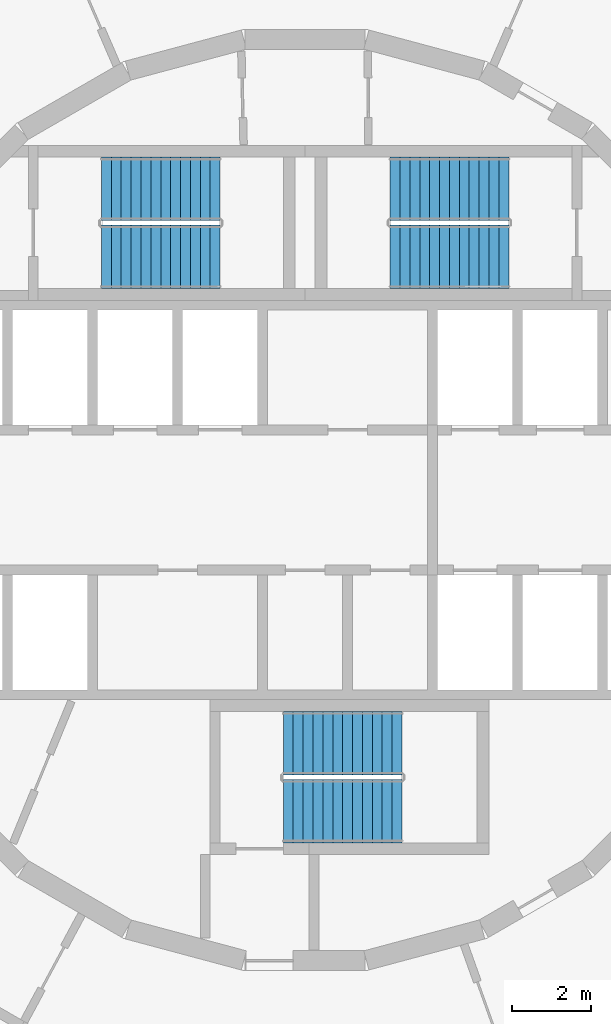
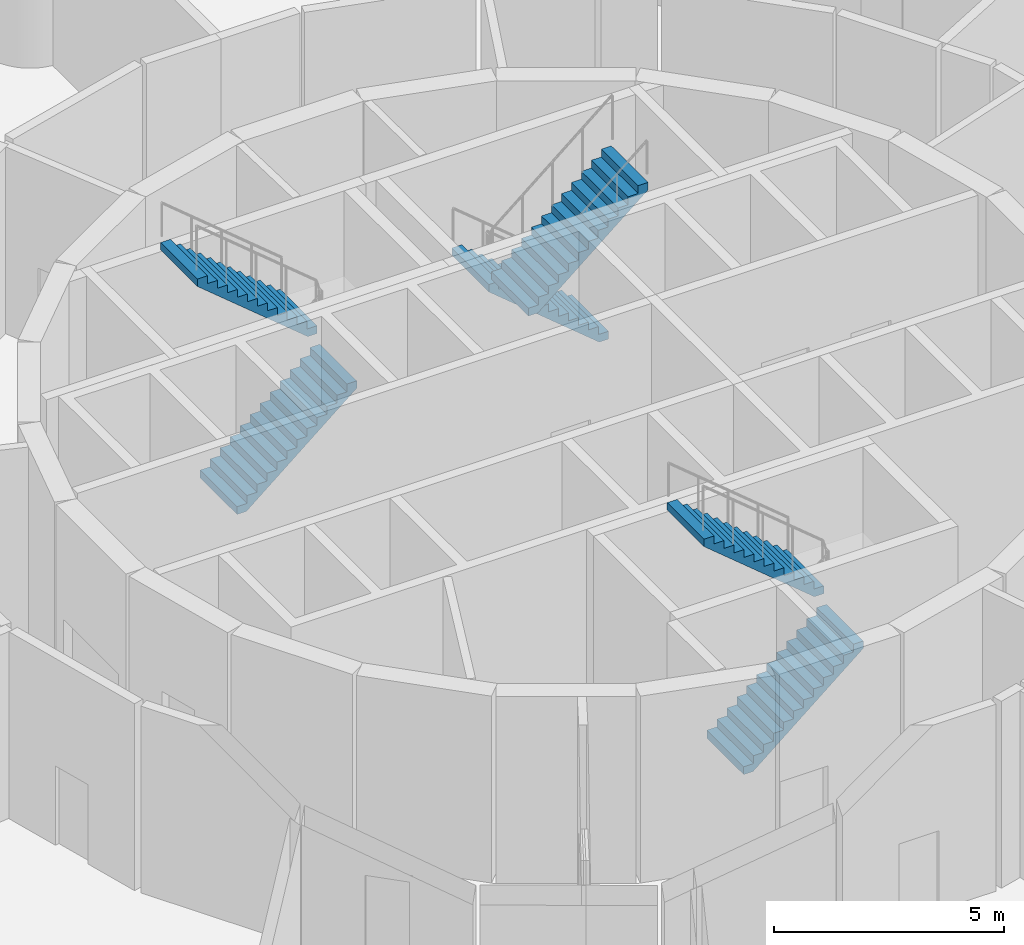
# One storey, part 10 of 11: 6 stair flights, 3 elements without a shape of their own.
"""IFC4 building model written with IfcOpenShell, lengths in metres."""

from ifc_helpers import new_model, si_unit, direction, frame, origin, place, context, subcontext, project, spatial, polyline, outline, extrude, material, type_object, element, aggregate, save


model = new_model("IFC4")

# Units and contexts
model_context = context("Model", 3, precision=1e-05, world=origin(), true_north=direction((0.0, 1.0)))
body_context = subcontext(model_context, "Body", "Model", "MODEL_VIEW")
ifc_project = project(units=[si_unit("LENGTHUNIT", "METRE"), si_unit("AREAUNIT", "SQUARE_METRE"), si_unit("VOLUMEUNIT", "CUBIC_METRE"), si_unit("PLANEANGLEUNIT", "RADIAN"), si_unit("MASSUNIT", "GRAM", prefix="KILO")], contexts=[model_context])

# Site, building, storey
site_placement = place(None, origin())
site = spatial("IfcSite", under=ifc_project, at=site_placement, CompositionType="ELEMENT")
building_placement = place(site_placement, origin())
building = spatial("IfcBuilding", under=site, at=building_placement, Name="Spindle Arch Residences", CompositionType="ELEMENT")
storey_placement = place(building_placement, frame((0.0, 0.0, 33.0)))
storey = spatial("IfcBuildingStorey", under=building, at=storey_placement, Name="L06", CompositionType="ELEMENT", Elevation=33.0)

# Stair, stair flights
ifc_material_1 = material(Name="Concrete C50/60", Category="concrete")
stair_type = type_object("IfcStairType", Name="Exit stair 26 risers", PredefinedType="HALF_TURN_STAIR", material=ifc_material_1)
stair_1_placement = place(storey_placement, origin())
stair_1 = element("IfcStair", 1, at=stair_1_placement, inside=storey, type_object=stair_type, Name="L06 Exit stair ST1", PredefinedType="HALF_TURN_STAIR")
ifc_material_2 = material(Name="Concrete C50/60", Category="concrete")
stair_flight_type = type_object("IfcStairFlightType", Name="Exit stair flight", PredefinedType="STRAIGHT", material=ifc_material_2)
stair_flight_1_placement = place(storey_placement, frame((5.14990234375, 7.8701171875, 0.0), z_axis=(0.0, 0.0, 1.0), x_axis=(-1.0, 0.0, 0.0)))
stair_flight_1 = element("IfcStairFlight", 2, at=stair_flight_1_placement, type_object=stair_flight_type, Name="ST1 flight 1", NumberOfRisers=13, NumberOfTreads=12, PredefinedType="STRAIGHT", RiserHeight=0.207692308, TreadLength=0.25, context=body_context, shape_type="SweptSolid", body=[
    extrude(outline(polyline([(0.0, 0.0), (0.0, 0.207763671875), (0.25, 0.207763671875), (0.25, 0.415283203125), (0.5, 0.415283203125), (0.5, 0.623046875), (0.75, 0.623046875), (0.75, 0.830810546875), (1.0, 0.830810546875), (1.0, 1.03857421875), (1.25, 1.03857421875), (1.25, 1.24609375), (1.5, 1.24609375), (1.5, 1.453857421875), (1.75, 1.453857421875), (1.75, 1.66162109375), (2.0, 1.66162109375), (2.0, 1.869140625), (2.25, 1.869140625), (2.25, 2.076904296875), (2.5, 2.076904296875), (2.5, 2.28466796875), (2.75, 2.28466796875), (2.75, 2.4921875), (3.0, 2.4921875), (3.0, 2.699951171875), (3.0, 2.29736328125), (0.234619140625, 0.0), (0.0, 0.0)])), frame((0.0, 0.800048828125, 0.0), z_axis=(0.0, -1.0, 0.0), x_axis=(1.0, 0.0, 0.0)), (0.0, 0.0, 1.0), 1.60009765625),
])
stair_flight_2_placement = place(storey_placement, frame((2.14990234375, 6.14990234375, 2.699951171875), z_axis=(0.0, 0.0, 1.0), x_axis=(1.0, 0.0, 0.0)))
stair_flight_2 = element("IfcStairFlight", 3, at=stair_flight_2_placement, type_object=stair_flight_type, Name="ST1 flight 2", NumberOfRisers=13, NumberOfTreads=12, PredefinedType="STRAIGHT", RiserHeight=0.207692308, TreadLength=0.25, context=body_context, shape_type="SweptSolid", body=[
    extrude(outline(polyline([(0.0, 0.0), (0.0, 0.207763671875), (0.25, 0.207763671875), (0.25, 0.415283203125), (0.5, 0.415283203125), (0.5, 0.623046875), (0.75, 0.623046875), (0.75, 0.830810546875), (1.0, 0.830810546875), (1.0, 1.03857421875), (1.25, 1.03857421875), (1.25, 1.24609375), (1.5, 1.24609375), (1.5, 1.453857421875), (1.75, 1.453857421875), (1.75, 1.66162109375), (2.0, 1.66162109375), (2.0, 1.869140625), (2.25, 1.869140625), (2.25, 2.076904296875), (2.5, 2.076904296875), (2.5, 2.28466796875), (2.75, 2.28466796875), (2.75, 2.4921875), (3.0, 2.4921875), (3.0, 2.699951171875), (3.0, 2.29736328125), (0.234619140625, 0.0), (0.0, 0.0)])), frame((0.0, 0.800048828125, 0.0), z_axis=(0.0, -1.0, 0.0), x_axis=(1.0, 0.0, 0.0)), (0.0, 0.0, 1.0), 1.60009765625),
])
aggregate(stair_1, [stair_flight_1, stair_flight_2])

stair_2_placement = place(storey_placement, origin())
stair_2 = element("IfcStair", 4, at=stair_2_placement, inside=storey, type_object=stair_type, Name="L06 Exit stair ST2", PredefinedType="HALF_TURN_STAIR")
stair_flight_3_placement = place(storey_placement, frame((-5.14990234375, 6.14990234375, 0.0), z_axis=(0.0, 0.0, 1.0), x_axis=(1.0, 0.0, 0.0)))
stair_flight_3 = element("IfcStairFlight", 5, at=stair_flight_3_placement, type_object=stair_flight_type, Name="ST2 flight 1", NumberOfRisers=13, NumberOfTreads=12, PredefinedType="STRAIGHT", RiserHeight=0.207692308, TreadLength=0.25, context=body_context, shape_type="SweptSolid", body=[
    extrude(outline(polyline([(0.0, 0.0), (0.0, 0.207763671875), (0.25, 0.207763671875), (0.25, 0.415283203125), (0.5, 0.415283203125), (0.5, 0.623046875), (0.75, 0.623046875), (0.75, 0.830810546875), (1.0, 0.830810546875), (1.0, 1.03857421875), (1.25, 1.03857421875), (1.25, 1.24609375), (1.5, 1.24609375), (1.5, 1.453857421875), (1.75, 1.453857421875), (1.75, 1.66162109375), (2.0, 1.66162109375), (2.0, 1.869140625), (2.25, 1.869140625), (2.25, 2.076904296875), (2.5, 2.076904296875), (2.5, 2.28466796875), (2.75, 2.28466796875), (2.75, 2.4921875), (3.0, 2.4921875), (3.0, 2.699951171875), (3.0, 2.29736328125), (0.234619140625, 0.0), (0.0, 0.0)])), frame((0.0, 0.800048828125, 0.0), z_axis=(0.0, -1.0, 0.0), x_axis=(1.0, 0.0, 0.0)), (0.0, 0.0, 1.0), 1.60009765625),
])
stair_flight_4_placement = place(storey_placement, frame((-2.14990234375, 7.8701171875, 2.699951171875), z_axis=(0.0, 0.0, 1.0), x_axis=(-1.0, 0.0, 0.0)))
stair_flight_4 = element("IfcStairFlight", 6, at=stair_flight_4_placement, type_object=stair_flight_type, Name="ST2 flight 2", NumberOfRisers=13, NumberOfTreads=12, PredefinedType="STRAIGHT", RiserHeight=0.207692308, TreadLength=0.25, context=body_context, shape_type="SweptSolid", body=[
    extrude(outline(polyline([(0.0, 0.0), (0.0, 0.207763671875), (0.25, 0.207763671875), (0.25, 0.415283203125), (0.5, 0.415283203125), (0.5, 0.623046875), (0.75, 0.623046875), (0.75, 0.830810546875), (1.0, 0.830810546875), (1.0, 1.03857421875), (1.25, 1.03857421875), (1.25, 1.24609375), (1.5, 1.24609375), (1.5, 1.453857421875), (1.75, 1.453857421875), (1.75, 1.66162109375), (2.0, 1.66162109375), (2.0, 1.869140625), (2.25, 1.869140625), (2.25, 2.076904296875), (2.5, 2.076904296875), (2.5, 2.28466796875), (2.75, 2.28466796875), (2.75, 2.4921875), (3.0, 2.4921875), (3.0, 2.699951171875), (3.0, 2.29736328125), (0.234619140625, 0.0), (0.0, 0.0)])), frame((0.0, 0.800048828125, 0.0), z_axis=(0.0, -1.0, 0.0), x_axis=(1.0, 0.0, 0.0)), (0.0, 0.0, 1.0), 1.60009765625),
])
aggregate(stair_2, [stair_flight_3, stair_flight_4])

stair_3_placement = place(storey_placement, origin())
stair_3 = element("IfcStair", 7, at=stair_3_placement, inside=storey, type_object=stair_type, Name="L06 Exit stair ST3", PredefinedType="HALF_TURN_STAIR")
stair_flight_5_placement = place(storey_placement, frame((-0.550048828125, -7.8701171875, 0.0), z_axis=(0.0, 0.0, 1.0), x_axis=(1.0, 0.0, 0.0)))
stair_flight_5 = element("IfcStairFlight", 8, at=stair_flight_5_placement, type_object=stair_flight_type, Name="ST3 flight 1", NumberOfRisers=13, NumberOfTreads=12, PredefinedType="STRAIGHT", RiserHeight=0.207692308, TreadLength=0.25, context=body_context, shape_type="SweptSolid", body=[
    extrude(outline(polyline([(0.0, 0.0), (0.0, 0.207763671875), (0.25, 0.207763671875), (0.25, 0.415283203125), (0.5, 0.415283203125), (0.5, 0.623046875), (0.75, 0.623046875), (0.75, 0.830810546875), (1.0, 0.830810546875), (1.0, 1.03857421875), (1.25, 1.03857421875), (1.25, 1.24609375), (1.5, 1.24609375), (1.5, 1.453857421875), (1.75, 1.453857421875), (1.75, 1.66162109375), (2.0, 1.66162109375), (2.0, 1.869140625), (2.25, 1.869140625), (2.25, 2.076904296875), (2.5, 2.076904296875), (2.5, 2.28466796875), (2.75, 2.28466796875), (2.75, 2.4921875), (3.0, 2.4921875), (3.0, 2.699951171875), (3.0, 2.29736328125), (0.234619140625, 0.0), (0.0, 0.0)])), frame((0.0, 0.800048828125, 0.0), z_axis=(0.0, -1.0, 0.0), x_axis=(1.0, 0.0, 0.0)), (0.0, 0.0, 1.0), 1.60009765625),
])
stair_flight_6_placement = place(storey_placement, frame((2.449951171875, -6.14990234375, 2.699951171875), z_axis=(0.0, 0.0, 1.0), x_axis=(-1.0, 0.0, 0.0)))
stair_flight_6 = element("IfcStairFlight", 9, at=stair_flight_6_placement, type_object=stair_flight_type, Name="ST3 flight 2", NumberOfRisers=13, NumberOfTreads=12, PredefinedType="STRAIGHT", RiserHeight=0.207692308, TreadLength=0.25, context=body_context, shape_type="SweptSolid", body=[
    extrude(outline(polyline([(0.0, 0.0), (0.0, 0.207763671875), (0.25, 0.207763671875), (0.25, 0.415283203125), (0.5, 0.415283203125), (0.5, 0.623046875), (0.75, 0.623046875), (0.75, 0.830810546875), (1.0, 0.830810546875), (1.0, 1.03857421875), (1.25, 1.03857421875), (1.25, 1.24609375), (1.5, 1.24609375), (1.5, 1.453857421875), (1.75, 1.453857421875), (1.75, 1.66162109375), (2.0, 1.66162109375), (2.0, 1.869140625), (2.25, 1.869140625), (2.25, 2.076904296875), (2.5, 2.076904296875), (2.5, 2.28466796875), (2.75, 2.28466796875), (2.75, 2.4921875), (3.0, 2.4921875), (3.0, 2.699951171875), (3.0, 2.29736328125), (0.234619140625, 0.0), (0.0, 0.0)])), frame((0.0, 0.800048828125, 0.0), z_axis=(0.0, -1.0, 0.0), x_axis=(1.0, 0.0, 0.0)), (0.0, 0.0, 1.0), 1.60009765625),
])
aggregate(stair_3, [stair_flight_5, stair_flight_6])

save(model, "model.ifc")
